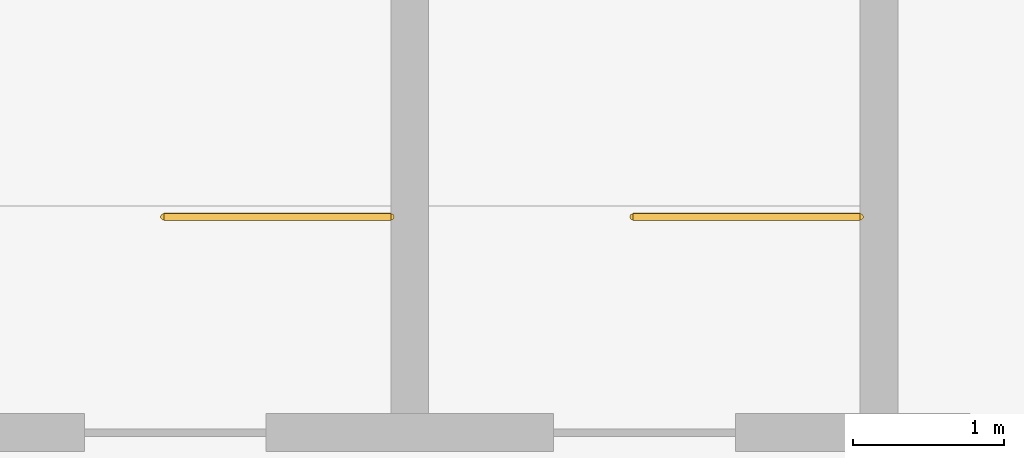
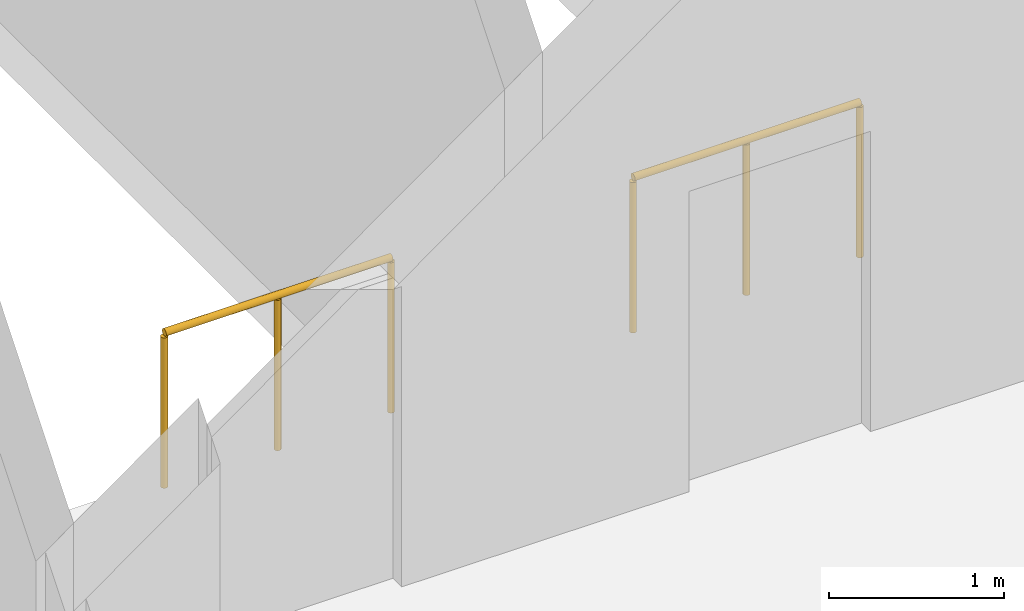
# One storey, part 26 of 26: 2 railings.
"""IFC4 building model written with IfcOpenShell, lengths in metres."""

from ifc_helpers import new_model, si_unit, direction, frame, origin, origin_2d, place, context, subcontext, project, spatial, circle, extrude, material, type_object, element, save


model = new_model("IFC4")

# Units and contexts
model_context = context("Model", 3, precision=1e-05, world=origin(), true_north=direction((0.0, 1.0)))
body_context = subcontext(model_context, "Body", "Model", "MODEL_VIEW")
ifc_project = project(units=[si_unit("LENGTHUNIT", "METRE"), si_unit("AREAUNIT", "SQUARE_METRE"), si_unit("VOLUMEUNIT", "CUBIC_METRE"), si_unit("PLANEANGLEUNIT", "RADIAN"), si_unit("MASSUNIT", "GRAM", prefix="KILO")], contexts=[model_context])

# Site, building, storey
site_placement = place(None, origin())
site = spatial("IfcSite", under=ifc_project, at=site_placement, CompositionType="ELEMENT")
building_placement = place(site_placement, origin())
building = spatial("IfcBuilding", under=site, at=building_placement, Name="Candeia Pilgrim Tower and Theatre", CompositionType="ELEMENT")
storey_placement = place(building_placement, frame((0.0, 0.0, 34.0)))
storey = spatial("IfcBuildingStorey", under=building, at=storey_placement, Name="L05", CompositionType="ELEMENT", Elevation=34.0)

# Railings
ifc_material = material(Name="Steel S355", Category="steel")
railing_type = type_object("IfcRailingType", Name="Guard 1100 steel balustrade", PredefinedType="GUARDRAIL", material=ifc_material)
for number, where, name in (
    (1, (237.77490234375, 107.72509765625, 0.0), "L05 TS3 top well guard 1"),
    (2, (240.875, 107.72509765625, 0.0), "L05 TS4 top well guard 1"),
):
    element("IfcRailing", number, at=place(storey_placement, frame(where)), inside=storey, type_object=railing_type, Name=name, PredefinedType="GUARDRAIL", context=body_context, shape_type="SweptSolid", body=[
        extrude(circle(Radius=0.02392578125, at=origin_2d()), frame((0.0, 0.0, 1.076171875), z_axis=(-1.0, 0.0, 0.0), x_axis=(0.0, -1.0, 0.0)), (0.0, 0.0, 1.0), 1.5),
        extrude(circle(Radius=0.02099609375, at=origin_2d()), origin(), (0.0, 0.0, 1.0), 1.052001953125),
        extrude(circle(Radius=0.02099609375, at=origin_2d()), frame((-0.75, 0.0, 0.0)), (0.0, 0.0, 1.0), 1.052001953125),
        extrude(circle(Radius=0.02099609375, at=origin_2d()), frame((-1.5, 0.0, 0.0)), (0.0, 0.0, 1.0), 1.052001953125),
    ])

save(model, "model.ifc")
